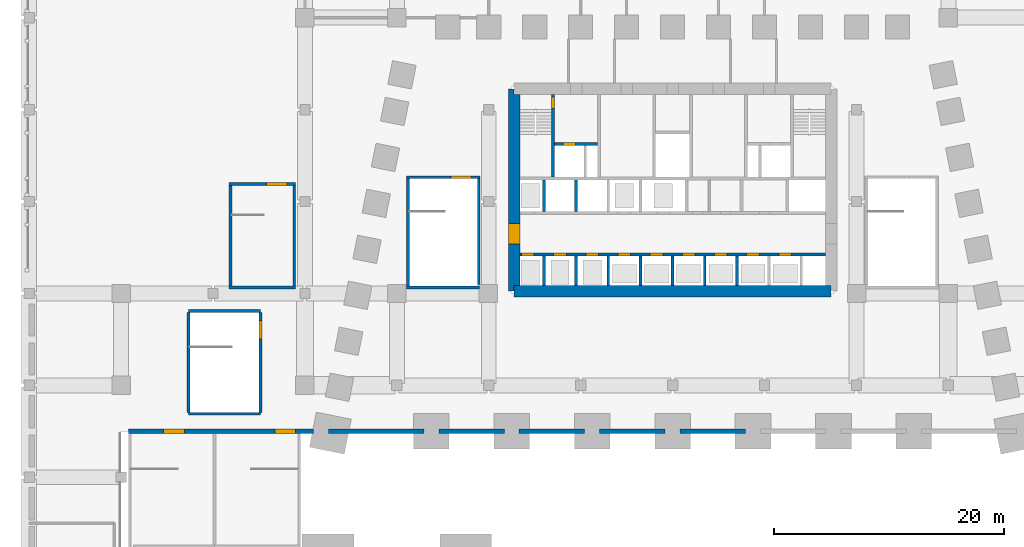
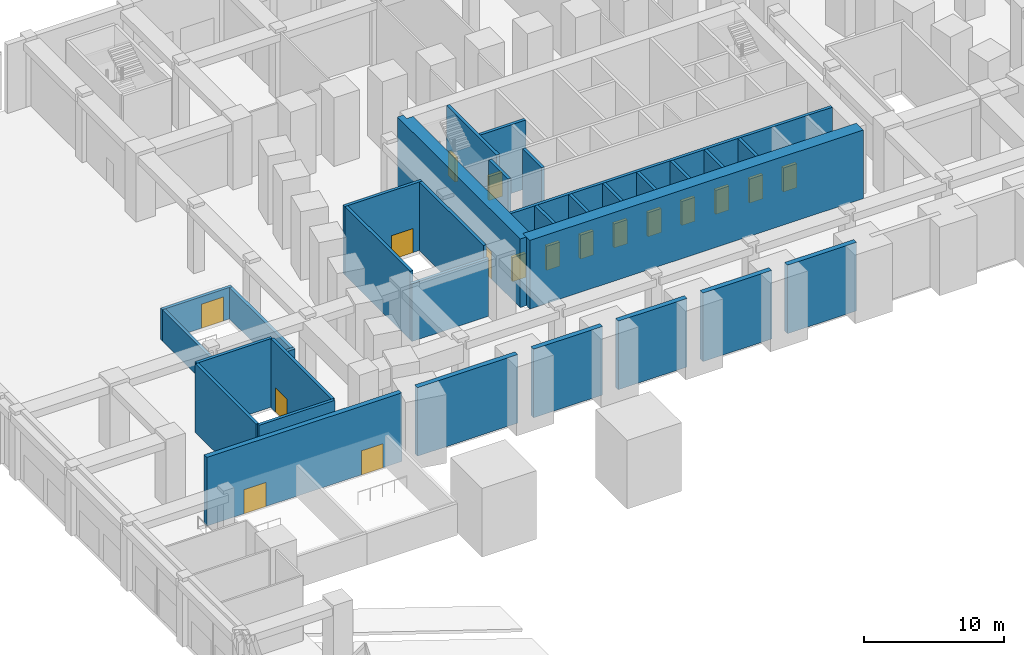
# One storey, part 12 of 28: 32 walls, 17 doors, 17 openings.
"""IFC4 building model written with IfcOpenShell, lengths in metres."""

from ifc_helpers import new_model, si_unit, direction, frame, frame_2d, origin, place, context, subcontext, project, spatial, polyline, rectangle, outline, extrude, material, layer, layer_set, type_object, element, fill, save


model = new_model("IFC4")

# Units and contexts
model_context = context("Model", 3, precision=1e-05, world=origin(), true_north=direction((0.0, 1.0)))
body_context = subcontext(model_context, "Body", "Model", "MODEL_VIEW")
ifc_project = project(units=[si_unit("LENGTHUNIT", "METRE"), si_unit("AREAUNIT", "SQUARE_METRE"), si_unit("VOLUMEUNIT", "CUBIC_METRE"), si_unit("PLANEANGLEUNIT", "RADIAN"), si_unit("MASSUNIT", "GRAM", prefix="KILO")], contexts=[model_context])

# Site, building, storey
site_placement = place(None, origin())
site = spatial("IfcSite", under=ifc_project, at=site_placement, CompositionType="ELEMENT")
building_placement = place(site_placement, origin())
building = spatial("IfcBuilding", under=site, at=building_placement, Name="Isbrekke Arena Tower", CompositionType="ELEMENT")
storey_placement = place(building_placement, origin())
storey = spatial("IfcBuildingStorey", under=building, at=storey_placement, Name="L00", CompositionType="ELEMENT", Elevation=0.0)

# Wall, openings, doors
ifc_material_1 = material(Name="Concrete B45 (C45/55)", Category="concrete")
ifc_layer_1 = layer(ifc_material_1, 0.39990234375)
ifc_layer_set_1 = layer_set([ifc_layer_1], Name="AW1 ARENA WALL 400")
wall_type_1 = type_object("IfcWallType", Name="AW1 ARENA WALL 400", PredefinedType="SHEAR", material=ifc_layer_set_1)
wall_1_placement = place(storey_placement, frame((-47.375, -6.0, 0.0), z_axis=(0.0, 0.0, 1.0), x_axis=(1.0, 0.0, 0.0)))
wall_1 = element("IfcWall", 1, at=wall_1_placement, inside=storey, type_object=wall_type_1, Name="Arena north wall 1", PredefinedType="SHEAR", context=body_context, shape_type="SweptSolid", body=[
    extrude(rectangle(XDim=16.125, YDim=0.39990234375, at=frame_2d((8.0625, 0.0))), origin(), (0.0, 0.0, 1.0), 6.0),
])
opening_1_placement = place(wall_1_placement, frame((12.77490234375, 0.0, 0.0)))
opening_1 = element("IfcOpeningElement", 2, at=opening_1_placement, cuts=wall_1, Name="Opening D9", PredefinedType="OPENING", context=body_context, shape_type="SweptSolid", body=[
    extrude(rectangle(XDim=1.800048828125, YDim=2.10009765625, at=frame_2d((0.89990234375, 1.050048828125))), frame((0.0, 0.21484375, 0.0), z_axis=(0.0, -1.0, 0.0), x_axis=(1.0, 0.0, 0.0)), (0.0, 0.0, 1.0), 0.4296875),
])
opening_2_placement = place(wall_1_placement, frame((3.074951171875, 0.0, 0.0)))
opening_2 = element("IfcOpeningElement", 3, at=opening_2_placement, cuts=wall_1, Name="Opening D9", PredefinedType="OPENING", context=body_context, shape_type="SweptSolid", body=[
    extrude(rectangle(XDim=1.800048828125, YDim=2.10009765625, at=frame_2d((0.89990234375, 1.050048828125))), frame((0.0, 0.21484375, 0.0), z_axis=(0.0, -1.0, 0.0), x_axis=(1.0, 0.0, 0.0)), (0.0, 0.0, 1.0), 0.4296875),
])
ifc_material_2 = material(Name="Steel fire door", Category="steel")
door_type_1 = type_object("IfcDoorType", Name="D9 EXIT STAIR DOOR 1800 x 2100", OperationType="DOUBLE_DOOR_SINGLE_SWING", PredefinedType="DOOR", material=ifc_material_2)
door_1_placement = place(opening_1_placement, origin())
door_1 = element("IfcDoor", 4, at=door_1_placement, inside=storey, type_object=door_type_1, Name="D9 exit stair door X3 L00", OperationType="DOUBLE_DOOR_SINGLE_SWING", OverallHeight=2.10009765625, OverallWidth=1.800048828125, PredefinedType="DOOR", context=body_context, shape_type="SweptSolid", body=[
    extrude(rectangle(XDim=1.800048828125, YDim=2.10009765625, at=frame_2d((0.89990234375, 1.050048828125))), frame((0.0, 0.19970703125, 0.0), z_axis=(0.0, -1.0, 0.0), x_axis=(1.0, 0.0, 0.0)), (0.0, 0.0, 1.0), 0.3994140625),
])
fill(opening_1, door_1)
door_2_placement = place(opening_2_placement, origin())
door_2 = element("IfcDoor", 5, at=door_2_placement, inside=storey, type_object=door_type_1, Name="D9 exit stair door X4 L00", OperationType="DOUBLE_DOOR_SINGLE_SWING", OverallHeight=2.10009765625, OverallWidth=1.800048828125, PredefinedType="DOOR", context=body_context, shape_type="SweptSolid", body=[
    extrude(rectangle(XDim=1.800048828125, YDim=2.10009765625, at=frame_2d((0.89990234375, 1.050048828125))), frame((0.0, 0.19970703125, 0.0), z_axis=(0.0, -1.0, 0.0), x_axis=(1.0, 0.0, 0.0)), (0.0, 0.0, 1.0), 0.3994140625),
])
fill(opening_2, door_2)

# Walls
wall_2_placement = place(storey_placement, frame((-29.949951171875, -6.0, 0.0), z_axis=(0.0, 0.0, 1.0), x_axis=(1.0, 0.0, 0.0)))
element("IfcWall", 6, at=wall_2_placement, inside=storey, type_object=wall_type_1, Name="Arena north wall 2", PredefinedType="SHEAR", context=body_context, shape_type="SweptSolid", body=[
    extrude(rectangle(XDim=8.300048828125, YDim=0.39990234375, at=frame_2d((4.14990234375, 0.0))), origin(), (0.0, 0.0, 1.0), 6.0),
])
for number, where, z_axis, x_axis, name in (
    (7, (-20.35009765625, -6.0, 0.0), (0.0, 0.0, 1.0), (1.0, 0.0, 0.0), "Arena north wall 3"),
    (8, (-13.35009765625, -6.0, 0.0), (0.0, 0.0, 1.0), (1.0, 0.0, 0.0), "Arena north wall 4"),
    (9, (-6.35009765625, -6.0, 0.0), (0.0, 0.0, 1.0), (1.0, 0.0, 0.0), "Arena north wall 5"),
    (10, (0.64990234375, -6.0, 0.0), (0.0, 0.0, 1.0), (1.0, 0.0, 0.0), "Arena north wall 6"),
):
    element("IfcWall", number, at=place(storey_placement, frame(where, z_axis=z_axis, x_axis=x_axis)), inside=storey, type_object=wall_type_1, Name=name, PredefinedType="SHEAR", context=body_context, shape_type="SweptSolid", body=[
        extrude(rectangle(XDim=5.7001953125, YDim=0.39990234375, at=frame_2d((2.85009765625, 0.0))), origin(), (0.0, 0.0, 1.0), 6.0),
    ])
ifc_material_3 = material(Name="Concrete B65 (C65/80)", Category="concrete")
ifc_layer_2 = layer(ifc_material_3, 1.0)
ifc_layer_set_2 = layer_set([ifc_layer_2], Name="CW1 CORE WALL 1000")
wall_type_2 = type_object("IfcWallType", Name="CW1 CORE WALL 1000", PredefinedType="SHEAR", material=ifc_layer_set_2)
wall_3_placement = place(storey_placement, frame((-13.800048828125, 6.199951171875, 0.0), z_axis=(0.0, 0.0, 1.0), x_axis=(1.0, 0.0, 0.0)))
element("IfcWall", 11, at=wall_3_placement, inside=storey, type_object=wall_type_2, Name="Core wall S L00", PredefinedType="SHEAR", context=body_context, shape_type="SweptSolid", body=[
    extrude(rectangle(XDim=27.60009765625, YDim=1.0, at=frame_2d((13.800048828125, 0.0))), origin(), (0.0, 0.0, 1.0), 6.0),
])

# Wall, opening, door
wall_4_placement = place(storey_placement, frame((-13.800048828125, 23.800048828125, 0.0), z_axis=(0.0, 0.0, 1.0), x_axis=(0.0, -1.0, 0.0)))
wall_4 = element("IfcWall", 12, at=wall_4_placement, inside=storey, type_object=wall_type_2, Name="Core wall W L00", PredefinedType="SHEAR", context=body_context, shape_type="SweptSolid", body=[
    extrude(outline(polyline([(0.0, -0.5), (17.60009765625, -0.5), (17.60009765625, 0.0), (17.10009765625, 0.0), (17.10009765625, 0.5), (0.5, 0.5), (0.5, 0.0), (0.0, 0.0), (0.0, -0.5)])), origin(), (0.0, 0.0, 1.0), 6.0),
])
opening_3_placement = place(wall_4_placement, frame((11.699951171875, 0.0, 0.0)))
opening_3 = element("IfcOpeningElement", 13, at=opening_3_placement, cuts=wall_4, Name="Opening D1", PredefinedType="OPENING", context=body_context, shape_type="SweptSolid", body=[
    extrude(rectangle(XDim=1.800048828125, YDim=2.39990234375, at=frame_2d((0.89990234375, 1.199951171875))), frame((0.0, 0.514892578125, 0.0), z_axis=(0.0, -1.0, 0.0), x_axis=(1.0, 0.0, 0.0)), (0.0, 0.0, 1.0), 1.02978515625),
])
ifc_material_4 = material(Name="Steel-framed glazed fire door", Category="steel")
door_type_2 = type_object("IfcDoorType", Name="D1 CORE LOBBY DOOR 1800 x 2400", OperationType="DOUBLE_DOOR_SINGLE_SWING", PredefinedType="DOOR", material=ifc_material_4)
door_3_placement = place(opening_3_placement, origin())
door_3 = element("IfcDoor", 14, at=door_3_placement, inside=storey, type_object=door_type_2, Name="D1 lift lobby door west L00", OperationType="DOUBLE_DOOR_SINGLE_SWING", OverallHeight=2.39990234375, OverallWidth=1.800048828125, PredefinedType="DOOR", context=body_context, shape_type="SweptSolid", body=[
    extrude(rectangle(XDim=1.800048828125, YDim=2.39990234375, at=frame_2d((0.89990234375, 1.199951171875))), frame((0.0, 0.499755859375, 0.0), z_axis=(0.0, -1.0, 0.0), x_axis=(1.0, 0.0, 0.0)), (0.0, 0.0, 1.0), 0.99951171875),
])
fill(opening_3, door_3)

# Wall, openings, doors
ifc_material_5 = material(Name="Concrete B45 (C45/55)", Category="concrete")
ifc_layer_3 = layer(ifc_material_5, 0.25)
ifc_layer_set_3 = layer_set([ifc_layer_3], Name="CW6 SHAFT WALL 250")
wall_type_3 = type_object("IfcWallType", Name="CW6 SHAFT WALL 250", PredefinedType="SHEAR", material=ifc_layer_set_3)
wall_5_placement = place(storey_placement, frame((-13.300048828125, 9.39990234375, 0.0), z_axis=(0.0, 0.0, 1.0), x_axis=(1.0, 0.0, 0.0)))
wall_5 = element("IfcWall", 15, at=wall_5_placement, inside=storey, type_object=wall_type_3, Name="Core wall LS L00", PredefinedType="SHEAR", context=body_context, shape_type="SweptSolid", body=[
    extrude(rectangle(XDim=26.60009765625, YDim=0.25, at=frame_2d((13.300048828125, 0.0))), origin(), (0.0, 0.0, 1.0), 6.0),
])
opening_4_placement = place(wall_5_placement, frame((0.14990234375, 0.0, 0.0)))
opening_4 = element("IfcOpeningElement", 16, at=opening_4_placement, cuts=wall_5, Name="Opening LD1", PredefinedType="OPENING", context=body_context, shape_type="SweptSolid", body=[
    extrude(rectangle(XDim=1.10009765625, YDim=2.10009765625, at=frame_2d((0.550048828125, 1.050048828125))), frame((0.0, 0.139892578125, 0.0), z_axis=(0.0, -1.0, 0.0), x_axis=(1.0, 0.0, 0.0)), (0.0, 0.0, 1.0), 0.27978515625),
])
opening_5_placement = place(wall_5_placement, frame((2.949951171875, 0.0, 0.0)))
opening_5 = element("IfcOpeningElement", 17, at=opening_5_placement, cuts=wall_5, Name="Opening LD1", PredefinedType="OPENING", context=body_context, shape_type="SweptSolid", body=[
    extrude(rectangle(XDim=1.10009765625, YDim=2.10009765625, at=frame_2d((0.550048828125, 1.050048828125))), frame((0.0, 0.139892578125, 0.0), z_axis=(0.0, -1.0, 0.0), x_axis=(1.0, 0.0, 0.0)), (0.0, 0.0, 1.0), 0.27978515625),
])
opening_6_placement = place(wall_5_placement, frame((5.75, 0.0, 0.0)))
opening_6 = element("IfcOpeningElement", 18, at=opening_6_placement, cuts=wall_5, Name="Opening LD1", PredefinedType="OPENING", context=body_context, shape_type="SweptSolid", body=[
    extrude(rectangle(XDim=1.10009765625, YDim=2.10009765625, at=frame_2d((0.550048828125, 1.050048828125))), frame((0.0, 0.139892578125, 0.0), z_axis=(0.0, -1.0, 0.0), x_axis=(1.0, 0.0, 0.0)), (0.0, 0.0, 1.0), 0.27978515625),
])
opening_7_placement = place(wall_5_placement, frame((8.550048828125, 0.0, 0.0)))
opening_7 = element("IfcOpeningElement", 19, at=opening_7_placement, cuts=wall_5, Name="Opening LD1", PredefinedType="OPENING", context=body_context, shape_type="SweptSolid", body=[
    extrude(rectangle(XDim=1.10009765625, YDim=2.10009765625, at=frame_2d((0.550048828125, 1.050048828125))), frame((0.0, 0.139892578125, 0.0), z_axis=(0.0, -1.0, 0.0), x_axis=(1.0, 0.0, 0.0)), (0.0, 0.0, 1.0), 0.27978515625),
])
opening_8_placement = place(wall_5_placement, frame((11.35009765625, 0.0, 0.0)))
opening_8 = element("IfcOpeningElement", 20, at=opening_8_placement, cuts=wall_5, Name="Opening LD1", PredefinedType="OPENING", context=body_context, shape_type="SweptSolid", body=[
    extrude(rectangle(XDim=1.10009765625, YDim=2.10009765625, at=frame_2d((0.550048828125, 1.050048828125))), frame((0.0, 0.139892578125, 0.0), z_axis=(0.0, -1.0, 0.0), x_axis=(1.0, 0.0, 0.0)), (0.0, 0.0, 1.0), 0.27978515625),
])
opening_9_placement = place(wall_5_placement, frame((14.14990234375, 0.0, 0.0)))
opening_9 = element("IfcOpeningElement", 21, at=opening_9_placement, cuts=wall_5, Name="Opening LD1", PredefinedType="OPENING", context=body_context, shape_type="SweptSolid", body=[
    extrude(rectangle(XDim=1.10009765625, YDim=2.10009765625, at=frame_2d((0.550048828125, 1.050048828125))), frame((0.0, 0.139892578125, 0.0), z_axis=(0.0, -1.0, 0.0), x_axis=(1.0, 0.0, 0.0)), (0.0, 0.0, 1.0), 0.27978515625),
])
opening_10_placement = place(wall_5_placement, frame((16.949951171875, 0.0, 0.0)))
opening_10 = element("IfcOpeningElement", 22, at=opening_10_placement, cuts=wall_5, Name="Opening LD1", PredefinedType="OPENING", context=body_context, shape_type="SweptSolid", body=[
    extrude(rectangle(XDim=1.10009765625, YDim=2.10009765625, at=frame_2d((0.550048828125, 1.050048828125))), frame((0.0, 0.139892578125, 0.0), z_axis=(0.0, -1.0, 0.0), x_axis=(1.0, 0.0, 0.0)), (0.0, 0.0, 1.0), 0.27978515625),
])
opening_11_placement = place(wall_5_placement, frame((19.75, 0.0, 0.0)))
opening_11 = element("IfcOpeningElement", 23, at=opening_11_placement, cuts=wall_5, Name="Opening LD1", PredefinedType="OPENING", context=body_context, shape_type="SweptSolid", body=[
    extrude(rectangle(XDim=1.10009765625, YDim=2.10009765625, at=frame_2d((0.550048828125, 1.050048828125))), frame((0.0, 0.139892578125, 0.0), z_axis=(0.0, -1.0, 0.0), x_axis=(1.0, 0.0, 0.0)), (0.0, 0.0, 1.0), 0.27978515625),
])
opening_12_placement = place(wall_5_placement, frame((22.550048828125, 0.0, 0.0)))
opening_12 = element("IfcOpeningElement", 24, at=opening_12_placement, cuts=wall_5, Name="Opening LD1", PredefinedType="OPENING", context=body_context, shape_type="SweptSolid", body=[
    extrude(rectangle(XDim=1.10009765625, YDim=2.10009765625, at=frame_2d((0.550048828125, 1.050048828125))), frame((0.0, 0.139892578125, 0.0), z_axis=(0.0, -1.0, 0.0), x_axis=(1.0, 0.0, 0.0)), (0.0, 0.0, 1.0), 0.27978515625),
])
ifc_material_6 = material(Name="Stainless steel lift landing door", Category="steel")
door_type_3 = type_object("IfcDoorType", Name="LD1 LIFT LANDING DOOR 1100 x 2100", OperationType="SLIDING_TO_LEFT", PredefinedType="DOOR", material=ifc_material_6)
door_4_placement = place(opening_4_placement, origin())
door_4 = element("IfcDoor", 25, at=door_4_placement, inside=storey, type_object=door_type_3, Name="LD1 lift landing door LA L00", OperationType="SLIDING_TO_LEFT", OverallHeight=2.10009765625, OverallWidth=1.10009765625, PredefinedType="DOOR", context=body_context, shape_type="SweptSolid", body=[
    extrude(rectangle(XDim=1.10009765625, YDim=2.10009765625, at=frame_2d((0.550048828125, 1.050048828125))), frame((0.0, 0.124755859375, 0.0), z_axis=(0.0, -1.0, 0.0), x_axis=(1.0, 0.0, 0.0)), (0.0, 0.0, 1.0), 0.24951171875),
])
fill(opening_4, door_4)
door_5_placement = place(opening_5_placement, origin())
door_5 = element("IfcDoor", 26, at=door_5_placement, inside=storey, type_object=door_type_3, Name="LD1 lift landing door LA L00", OperationType="SLIDING_TO_LEFT", OverallHeight=2.10009765625, OverallWidth=1.10009765625, PredefinedType="DOOR", context=body_context, shape_type="SweptSolid", body=[
    extrude(rectangle(XDim=1.10009765625, YDim=2.10009765625, at=frame_2d((0.550048828125, 1.050048828125))), frame((0.0, 0.124755859375, 0.0), z_axis=(0.0, -1.0, 0.0), x_axis=(1.0, 0.0, 0.0)), (0.0, 0.0, 1.0), 0.24951171875),
])
fill(opening_5, door_5)
door_6_placement = place(opening_6_placement, origin())
door_6 = element("IfcDoor", 27, at=door_6_placement, inside=storey, type_object=door_type_3, Name="LD1 lift landing door LA L00", OperationType="SLIDING_TO_LEFT", OverallHeight=2.10009765625, OverallWidth=1.10009765625, PredefinedType="DOOR", context=body_context, shape_type="SweptSolid", body=[
    extrude(rectangle(XDim=1.10009765625, YDim=2.10009765625, at=frame_2d((0.550048828125, 1.050048828125))), frame((0.0, 0.124755859375, 0.0), z_axis=(0.0, -1.0, 0.0), x_axis=(1.0, 0.0, 0.0)), (0.0, 0.0, 1.0), 0.24951171875),
])
fill(opening_6, door_6)
door_7_placement = place(opening_7_placement, origin())
door_7 = element("IfcDoor", 28, at=door_7_placement, inside=storey, type_object=door_type_3, Name="LD1 lift landing door LS L00", OperationType="SLIDING_TO_LEFT", OverallHeight=2.10009765625, OverallWidth=1.10009765625, PredefinedType="DOOR", context=body_context, shape_type="SweptSolid", body=[
    extrude(rectangle(XDim=1.10009765625, YDim=2.10009765625, at=frame_2d((0.550048828125, 1.050048828125))), frame((0.0, 0.124755859375, 0.0), z_axis=(0.0, -1.0, 0.0), x_axis=(1.0, 0.0, 0.0)), (0.0, 0.0, 1.0), 0.24951171875),
])
fill(opening_7, door_7)
door_8_placement = place(opening_8_placement, origin())
door_8 = element("IfcDoor", 29, at=door_8_placement, inside=storey, type_object=door_type_3, Name="LD1 lift landing door LS L00", OperationType="SLIDING_TO_LEFT", OverallHeight=2.10009765625, OverallWidth=1.10009765625, PredefinedType="DOOR", context=body_context, shape_type="SweptSolid", body=[
    extrude(rectangle(XDim=1.10009765625, YDim=2.10009765625, at=frame_2d((0.550048828125, 1.050048828125))), frame((0.0, 0.124755859375, 0.0), z_axis=(0.0, -1.0, 0.0), x_axis=(1.0, 0.0, 0.0)), (0.0, 0.0, 1.0), 0.24951171875),
])
fill(opening_8, door_8)
door_9_placement = place(opening_9_placement, origin())
door_9 = element("IfcDoor", 30, at=door_9_placement, inside=storey, type_object=door_type_3, Name="LD1 lift landing door LS L00", OperationType="SLIDING_TO_LEFT", OverallHeight=2.10009765625, OverallWidth=1.10009765625, PredefinedType="DOOR", context=body_context, shape_type="SweptSolid", body=[
    extrude(rectangle(XDim=1.10009765625, YDim=2.10009765625, at=frame_2d((0.550048828125, 1.050048828125))), frame((0.0, 0.124755859375, 0.0), z_axis=(0.0, -1.0, 0.0), x_axis=(1.0, 0.0, 0.0)), (0.0, 0.0, 1.0), 0.24951171875),
])
fill(opening_9, door_9)
door_10_placement = place(opening_10_placement, origin())
door_10 = element("IfcDoor", 31, at=door_10_placement, inside=storey, type_object=door_type_3, Name="LD1 lift landing door LT L00", OperationType="SLIDING_TO_LEFT", OverallHeight=2.10009765625, OverallWidth=1.10009765625, PredefinedType="DOOR", context=body_context, shape_type="SweptSolid", body=[
    extrude(rectangle(XDim=1.10009765625, YDim=2.10009765625, at=frame_2d((0.550048828125, 1.050048828125))), frame((0.0, 0.124755859375, 0.0), z_axis=(0.0, -1.0, 0.0), x_axis=(1.0, 0.0, 0.0)), (0.0, 0.0, 1.0), 0.24951171875),
])
fill(opening_10, door_10)
door_11_placement = place(opening_11_placement, origin())
door_11 = element("IfcDoor", 32, at=door_11_placement, inside=storey, type_object=door_type_3, Name="LD1 lift landing door LT L00", OperationType="SLIDING_TO_LEFT", OverallHeight=2.10009765625, OverallWidth=1.10009765625, PredefinedType="DOOR", context=body_context, shape_type="SweptSolid", body=[
    extrude(rectangle(XDim=1.10009765625, YDim=2.10009765625, at=frame_2d((0.550048828125, 1.050048828125))), frame((0.0, 0.124755859375, 0.0), z_axis=(0.0, -1.0, 0.0), x_axis=(1.0, 0.0, 0.0)), (0.0, 0.0, 1.0), 0.24951171875),
])
fill(opening_11, door_11)
door_12_placement = place(opening_12_placement, origin())
door_12 = element("IfcDoor", 33, at=door_12_placement, inside=storey, type_object=door_type_3, Name="LD1 lift landing door LT L00", OperationType="SLIDING_TO_LEFT", OverallHeight=2.10009765625, OverallWidth=1.10009765625, PredefinedType="DOOR", context=body_context, shape_type="SweptSolid", body=[
    extrude(rectangle(XDim=1.10009765625, YDim=2.10009765625, at=frame_2d((0.550048828125, 1.050048828125))), frame((0.0, 0.124755859375, 0.0), z_axis=(0.0, -1.0, 0.0), x_axis=(1.0, 0.0, 0.0)), (0.0, 0.0, 1.0), 0.24951171875),
])
fill(opening_12, door_12)

# Walls
for number, where, z_axis, x_axis, name in (
    (34, (-11.199951171875, 6.699951171875, 0.0), (0.0, 0.0, 1.0), (0.0, 1.0, 0.0), "Core wall SS01 L00"),
    (35, (-8.39990234375, 6.699951171875, 0.0), (0.0, 0.0, 1.0), (0.0, 1.0, 0.0), "Core wall SS02 L00"),
    (36, (-5.60009765625, 6.699951171875, 0.0), (0.0, 0.0, 1.0), (0.0, 1.0, 0.0), "Core wall SS03 L00"),
    (37, (-2.800048828125, 6.699951171875, 0.0), (0.0, 0.0, 1.0), (0.0, 1.0, 0.0), "Core wall SS04 L00"),
    (38, (0.0, 6.699951171875, 0.0), (0.0, 0.0, 1.0), (0.0, 1.0, 0.0), "Core wall SS05 L00"),
    (39, (2.800048828125, 6.699951171875, 0.0), (0.0, 0.0, 1.0), (0.0, 1.0, 0.0), "Core wall SS06 L00"),
    (40, (5.60009765625, 6.699951171875, 0.0), (0.0, 0.0, 1.0), (0.0, 1.0, 0.0), "Core wall SS07 L00"),
):
    element("IfcWall", number, at=place(storey_placement, frame(where, z_axis=z_axis, x_axis=x_axis)), inside=storey, type_object=wall_type_3, Name=name, PredefinedType="SHEAR", context=body_context, shape_type="SweptSolid", body=[
        extrude(rectangle(XDim=2.574951171875, YDim=0.25, at=frame_2d((1.28759765625, 0.0))), origin(), (0.0, 0.0, 1.0), 6.0),
    ])
for number, where, z_axis, x_axis, name in (
    (41, (-11.199951171875, 13.125, 0.0), (0.0, 0.0, 1.0), (0.0, 1.0, 0.0), "Core wall SN01 L00"),
    (42, (-8.39990234375, 13.125, 0.0), (0.0, 0.0, 1.0), (0.0, 1.0, 0.0), "Core wall SN02 L00"),
):
    element("IfcWall", number, at=place(storey_placement, frame(where, z_axis=z_axis, x_axis=x_axis)), inside=storey, type_object=wall_type_3, Name=name, PredefinedType="SHEAR", context=body_context, shape_type="SweptSolid", body=[
        extrude(rectangle(XDim=2.75, YDim=0.25, at=frame_2d((1.375, 0.0))), origin(), (0.0, 0.0, 1.0), 6.0),
    ])

# Wall, opening, door
wall_6_placement = place(storey_placement, frame((-10.39990234375, 16.125, 0.0), z_axis=(0.0, 0.0, 1.0), x_axis=(0.0, 1.0, 0.0)))
wall_6 = element("IfcWall", 43, at=wall_6_placement, inside=storey, type_object=wall_type_3, Name="Core wall NV01 L00", PredefinedType="SHEAR", context=body_context, shape_type="SweptSolid", body=[
    extrude(rectangle(XDim=7.175048828125, YDim=0.25, at=frame_2d((3.58740234375, 0.0))), origin(), (0.0, 0.0, 1.0), 6.0),
])
opening_13_placement = place(wall_6_placement, frame((5.97509765625, 0.0, 0.0)))
opening_13 = element("IfcOpeningElement", 44, at=opening_13_placement, cuts=wall_6, Name="Opening D2", PredefinedType="OPENING", context=body_context, shape_type="SweptSolid", body=[
    extrude(rectangle(XDim=1.0, YDim=2.10009765625, at=frame_2d((0.5, 1.050048828125))), frame((0.0, 0.139892578125, 0.0), z_axis=(0.0, -1.0, 0.0), x_axis=(1.0, 0.0, 0.0)), (0.0, 0.0, 1.0), 0.27978515625),
])
ifc_material_7 = material(Name="Steel fire door", Category="steel")
door_type_4 = type_object("IfcDoorType", Name="D2 STAIR DOOR 1000 x 2100", OperationType="SINGLE_SWING_LEFT", PredefinedType="DOOR", material=ifc_material_7)
door_13_placement = place(opening_13_placement, origin())
door_13 = element("IfcDoor", 45, at=door_13_placement, inside=storey, type_object=door_type_4, Name="D2 stair door ST1 L00", OperationType="SINGLE_SWING_LEFT", OverallHeight=2.10009765625, OverallWidth=1.0, PredefinedType="DOOR", context=body_context, shape_type="SweptSolid", body=[
    extrude(rectangle(XDim=1.0, YDim=2.10009765625, at=frame_2d((0.5, 1.050048828125))), frame((0.0, 0.124755859375, 0.0), z_axis=(0.0, -1.0, 0.0), x_axis=(1.0, 0.0, 0.0)), (0.0, 0.0, 1.0), 0.24951171875),
])
fill(opening_13, door_13)

wall_7_placement = place(storey_placement, frame((-10.27490234375, 19.0, 0.0), z_axis=(0.0, 0.0, 1.0), x_axis=(1.0, 0.0, 0.0)))
wall_7 = element("IfcWall", 46, at=wall_7_placement, inside=storey, type_object=wall_type_3, Name="Core wall NFW L00", PredefinedType="SHEAR", context=body_context, shape_type="SweptSolid", body=[
    extrude(rectangle(XDim=3.75, YDim=0.25, at=frame_2d((1.875, 0.0))), origin(), (0.0, 0.0, 1.0), 6.0),
])
opening_14_placement = place(wall_7_placement, frame((0.72509765625, 0.0, 0.0)))
opening_14 = element("IfcOpeningElement", 47, at=opening_14_placement, cuts=wall_7, Name="Opening LD2", PredefinedType="OPENING", context=body_context, shape_type="SweptSolid", body=[
    extrude(rectangle(XDim=1.10009765625, YDim=2.10009765625, at=frame_2d((0.550048828125, 1.050048828125))), frame((0.0, 0.139892578125, 0.0), z_axis=(0.0, -1.0, 0.0), x_axis=(1.0, 0.0, 0.0)), (0.0, 0.0, 1.0), 0.27978515625),
])
ifc_material_8 = material(Name="Stainless steel lift landing door", Category="steel")
door_type_5 = type_object("IfcDoorType", Name="LD2 FIRE-FIGHTING LIFT LANDING DOOR 1100 x 2100", OperationType="SLIDING_TO_RIGHT", PredefinedType="DOOR", material=ifc_material_8)
door_14_placement = place(opening_14_placement, origin())
door_14 = element("IfcDoor", 48, at=door_14_placement, inside=storey, type_object=door_type_5, Name="LD2 lift landing door LF L00", OperationType="SLIDING_TO_RIGHT", OverallHeight=2.10009765625, OverallWidth=1.10009765625, PredefinedType="DOOR", context=body_context, shape_type="SweptSolid", body=[
    extrude(rectangle(XDim=1.10009765625, YDim=2.10009765625, at=frame_2d((0.550048828125, 1.050048828125))), frame((0.0, 0.124755859375, 0.0), z_axis=(0.0, -1.0, 0.0), x_axis=(1.0, 0.0, 0.0)), (0.0, 0.0, 1.0), 0.24951171875),
])
fill(opening_14, door_14)

# Walls
ifc_material_9 = material(Name="Concrete B45 (C45/55)", Category="concrete")
ifc_layer_4 = layer(ifc_material_9, 0.25)
ifc_layer_set_4 = layer_set([ifc_layer_4], Name="SW1 STAIR ENCLOSURE WALL 250")
wall_type_4 = type_object("IfcWallType", Name="SW1 STAIR ENCLOSURE WALL 250", PredefinedType="SOLIDWALL", material=ifc_layer_set_4)
for number, where, z_axis, x_axis, name in (
    (49, (-42.125, -4.47509765625, 0.0), (0.0, 0.0, 1.0), (1.0, 0.0, 0.0), "SW1 stair wall V2 S L00"),
    (50, (-35.875, 4.47509765625, 0.0), (0.0, 0.0, 1.0), (-1.0, 0.0, 0.0), "SW1 stair wall V2 N L00"),
):
    element("IfcWall", number, at=place(storey_placement, frame(where, z_axis=z_axis, x_axis=x_axis)), inside=storey, type_object=wall_type_4, Name=name, PredefinedType="SOLIDWALL", context=body_context, shape_type="SweptSolid", body=[
        extrude(rectangle(XDim=6.25, YDim=0.25, at=frame_2d((3.125, 0.0))), origin(), (0.0, 0.0, 1.0), 6.0),
    ])

# Wall, opening, door
wall_8_placement = place(storey_placement, frame((-35.875, -4.35009765625, 0.0), z_axis=(0.0, 0.0, 1.0), x_axis=(0.0, 1.0, 0.0)))
wall_8 = element("IfcWall", 51, at=wall_8_placement, inside=storey, type_object=wall_type_4, Name="SW1 stair wall V2 E L00", PredefinedType="SOLIDWALL", context=body_context, shape_type="SweptSolid", body=[
    extrude(rectangle(XDim=8.7001953125, YDim=0.25, at=frame_2d((4.35009765625, 0.0))), origin(), (0.0, 0.0, 1.0), 6.0),
])
opening_15_placement = place(wall_8_placement, frame((6.39990234375, 0.0, 0.0)))
opening_15 = element("IfcOpeningElement", 52, at=opening_15_placement, cuts=wall_8, Name="Opening D7", PredefinedType="OPENING", context=body_context, shape_type="SweptSolid", body=[
    extrude(rectangle(XDim=1.60009765625, YDim=2.10009765625, at=frame_2d((0.800048828125, 1.050048828125))), frame((0.0, 0.139892578125, 0.0), z_axis=(0.0, -1.0, 0.0), x_axis=(1.0, 0.0, 0.0)), (0.0, 0.0, 1.0), 0.27978515625),
])
ifc_material_10 = material(Name="Steel fire door", Category="steel")
door_type_6 = type_object("IfcDoorType", Name="D7 PODIUM STAIR DOOR 1600 x 2100", OperationType="DOUBLE_DOOR_SINGLE_SWING", PredefinedType="DOOR", material=ifc_material_10)
door_15_placement = place(opening_15_placement, origin())
door_15 = element("IfcDoor", 53, at=door_15_placement, inside=storey, type_object=door_type_6, Name="D7 stair door V2 L00", OperationType="DOUBLE_DOOR_SINGLE_SWING", OverallHeight=2.10009765625, OverallWidth=1.60009765625, PredefinedType="DOOR", context=body_context, shape_type="SweptSolid", body=[
    extrude(rectangle(XDim=1.60009765625, YDim=2.10009765625, at=frame_2d((0.800048828125, 1.050048828125))), frame((0.0, 0.124755859375, 0.0), z_axis=(0.0, -1.0, 0.0), x_axis=(1.0, 0.0, 0.0)), (0.0, 0.0, 1.0), 0.24951171875),
])
fill(opening_15, door_15)

# Walls
wall_9_placement = place(storey_placement, frame((-42.125, 4.35009765625, 0.0), z_axis=(0.0, 0.0, 1.0), x_axis=(0.0, -1.0, 0.0)))
element("IfcWall", 54, at=wall_9_placement, inside=storey, type_object=wall_type_4, Name="SW1 stair wall V2 W L00", PredefinedType="SOLIDWALL", context=body_context, shape_type="SweptSolid", body=[
    extrude(rectangle(XDim=8.7001953125, YDim=0.25, at=frame_2d((4.35009765625, 0.0))), origin(), (0.0, 0.0, 1.0), 6.0),
])
wall_10_placement = place(storey_placement, frame((-38.60009765625, 6.52490234375, 0.0), z_axis=(0.0, 0.0, 1.0), x_axis=(1.0, 0.0, 0.0)))
element("IfcWall", 55, at=wall_10_placement, inside=storey, type_object=wall_type_4, Name="SW1 stair wall X8 S L00", PredefinedType="SOLIDWALL", context=body_context, shape_type="SweptSolid", body=[
    extrude(rectangle(XDim=5.800048828125, YDim=0.25, at=frame_2d((2.89990234375, 0.0))), origin(), (0.0, 0.0, 1.0), 2.75),
])

# Wall, opening, door
wall_11_placement = place(storey_placement, frame((-32.800048828125, 15.514892578125, 0.0), z_axis=(0.0, 0.0, 1.0), x_axis=(-1.0, 0.0, 0.0)))
wall_11 = element("IfcWall", 56, at=wall_11_placement, inside=storey, type_object=wall_type_4, Name="SW1 stair wall X8 N L00", PredefinedType="SOLIDWALL", context=body_context, shape_type="SweptSolid", body=[
    extrude(rectangle(XDim=5.800048828125, YDim=0.25, at=frame_2d((2.89990234375, 0.0))), origin(), (0.0, 0.0, 1.0), 2.75),
])
opening_16_placement = place(wall_11_placement, frame((0.75, 0.0, 0.0)))
opening_16 = element("IfcOpeningElement", 57, at=opening_16_placement, cuts=wall_11, Name="Opening D9", PredefinedType="OPENING", context=body_context, shape_type="SweptSolid", body=[
    extrude(rectangle(XDim=1.800048828125, YDim=2.10009765625, at=frame_2d((0.89990234375, 1.050048828125))), frame((0.0, 0.139892578125, 0.0), z_axis=(0.0, -1.0, 0.0), x_axis=(1.0, 0.0, 0.0)), (0.0, 0.0, 1.0), 0.27978515625),
])
door_16_placement = place(opening_16_placement, origin())
door_16 = element("IfcDoor", 58, at=door_16_placement, inside=storey, type_object=door_type_1, Name="D9 exit stair door X8 L00", OperationType="DOUBLE_DOOR_SINGLE_SWING", OverallHeight=2.10009765625, OverallWidth=1.800048828125, PredefinedType="DOOR", context=body_context, shape_type="SweptSolid", body=[
    extrude(rectangle(XDim=1.800048828125, YDim=2.10009765625, at=frame_2d((0.89990234375, 1.050048828125))), frame((0.0, 0.124755859375, 0.0), z_axis=(0.0, -1.0, 0.0), x_axis=(1.0, 0.0, 0.0)), (0.0, 0.0, 1.0), 0.24951171875),
])
fill(opening_16, door_16)

# Walls
for number, where, z_axis, x_axis, name in (
    (59, (-38.47509765625, 15.389892578125, 0.0), (0.0, 0.0, 1.0), (0.0, -1.0, 0.0), "SW1 stair wall X8 W L00"),
    (60, (-32.925048828125, 6.64990234375, 0.0), (0.0, 0.0, 1.0), (0.0, 1.0, 0.0), "SW1 stair wall X8 E L00"),
):
    element("IfcWall", number, at=place(storey_placement, frame(where, z_axis=z_axis, x_axis=x_axis)), inside=storey, type_object=wall_type_4, Name=name, PredefinedType="SOLIDWALL", context=body_context, shape_type="SweptSolid", body=[
        extrude(rectangle(XDim=8.739990234375, YDim=0.25, at=frame_2d((4.3701171875, 0.0))), origin(), (0.0, 0.0, 1.0), 2.75),
    ])
ifc_material_11 = material(Name="Concrete B45 (C45/55)", Category="concrete")
ifc_layer_5 = layer(ifc_material_11, 0.25)
ifc_layer_set_5 = layer_set([ifc_layer_5], Name="SW3 STAIR ENCLOSURE WALL NON-LOAD-BEARING 250")
wall_type_5 = type_object("IfcWallType", Name="SW3 STAIR ENCLOSURE WALL NON-LOAD-BEARING 250", PredefinedType="SOLIDWALL", material=ifc_layer_set_5)
wall_12_placement = place(storey_placement, frame((-23.14990234375, 6.52490234375, 0.0), z_axis=(0.0, 0.0, 1.0), x_axis=(1.0, 0.0, 0.0)))
element("IfcWall", 61, at=wall_12_placement, inside=storey, type_object=wall_type_5, Name="SW3 stair enclosure wall X6 S L00", PredefinedType="SOLIDWALL", context=body_context, shape_type="SweptSolid", body=[
    extrude(rectangle(XDim=6.349853515625, YDim=0.25, at=frame_2d((3.1748046875, 0.0))), origin(), (0.0, 0.0, 1.0), 5.050048828125),
])

# Wall, opening, door
wall_13_placement = place(storey_placement, frame((-16.75, 16.114990234375, 0.0), z_axis=(0.0, 0.0, 1.0), x_axis=(-1.0, 0.0, 0.0)))
wall_13 = element("IfcWall", 62, at=wall_13_placement, inside=storey, type_object=wall_type_5, Name="SW3 stair enclosure wall X6 N L00", PredefinedType="SOLIDWALL", context=body_context, shape_type="SweptSolid", body=[
    extrude(rectangle(XDim=6.39990234375, YDim=0.25, at=frame_2d((3.199951171875, 0.0))), origin(), (0.0, 0.0, 1.0), 6.0),
])
opening_17_placement = place(wall_13_placement, frame((0.75, 0.0, 0.0)))
opening_17 = element("IfcOpeningElement", 63, at=opening_17_placement, cuts=wall_13, Name="Opening D9", PredefinedType="OPENING", context=body_context, shape_type="SweptSolid", body=[
    extrude(rectangle(XDim=1.800048828125, YDim=2.10009765625, at=frame_2d((0.89990234375, 1.050048828125))), frame((0.0, 0.139892578125, 0.0), z_axis=(0.0, -1.0, 0.0), x_axis=(1.0, 0.0, 0.0)), (0.0, 0.0, 1.0), 0.27978515625),
])
door_17_placement = place(opening_17_placement, origin())
door_17 = element("IfcDoor", 64, at=door_17_placement, inside=storey, type_object=door_type_1, Name="D9 exit stair door X6 L00", OperationType="DOUBLE_DOOR_SINGLE_SWING", OverallHeight=2.10009765625, OverallWidth=1.800048828125, PredefinedType="DOOR", context=body_context, shape_type="SweptSolid", body=[
    extrude(rectangle(XDim=1.800048828125, YDim=2.10009765625, at=frame_2d((0.89990234375, 1.050048828125))), frame((0.0, 0.124755859375, 0.0), z_axis=(0.0, -1.0, 0.0), x_axis=(1.0, 0.0, 0.0)), (0.0, 0.0, 1.0), 0.24951171875),
])
fill(opening_17, door_17)

# Walls
wall_14_placement = place(storey_placement, frame((-23.02490234375, 15.989990234375, 0.0), z_axis=(0.0, 0.0, 1.0), x_axis=(0.0, -1.0, 0.0)))
element("IfcWall", 65, at=wall_14_placement, inside=storey, type_object=wall_type_5, Name="SW3 stair enclosure wall X6 W L00", PredefinedType="SOLIDWALL", context=body_context, shape_type="SweptSolid", body=[
    extrude(rectangle(XDim=9.340087890625, YDim=0.25, at=frame_2d((4.669921875, 0.0))), origin(), (0.0, 0.0, 1.0), 6.0),
])
wall_15_placement = place(storey_placement, frame((-16.875, 6.800048828125, 0.0), z_axis=(0.0, 0.0, 1.0), x_axis=(0.0, 1.0, 0.0)))
element("IfcWall", 66, at=wall_15_placement, inside=storey, type_object=wall_type_5, Name="SW3 stair enclosure wall X6 E L00", PredefinedType="SOLIDWALL", context=body_context, shape_type="SweptSolid", body=[
    extrude(rectangle(XDim=9.18994140625, YDim=0.25, at=frame_2d((4.594970703125, 0.0))), origin(), (0.0, 0.0, 1.0), 6.0),
])

save(model, "model.ifc")
